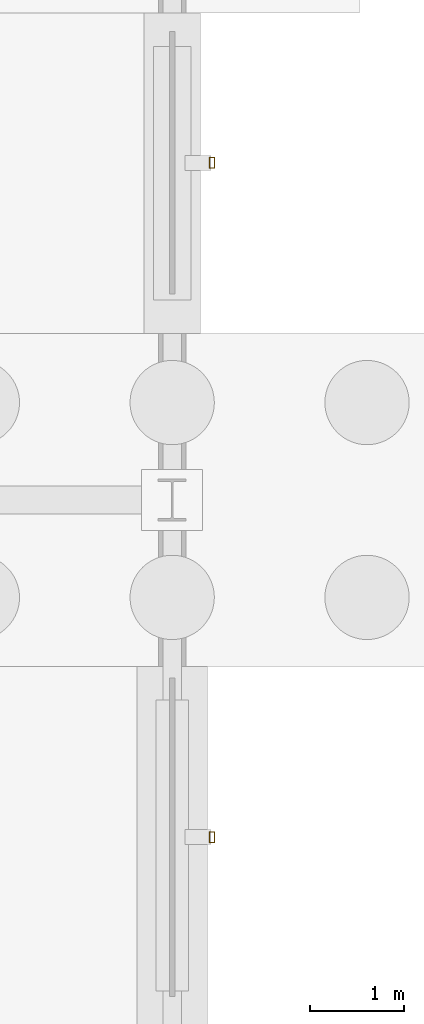
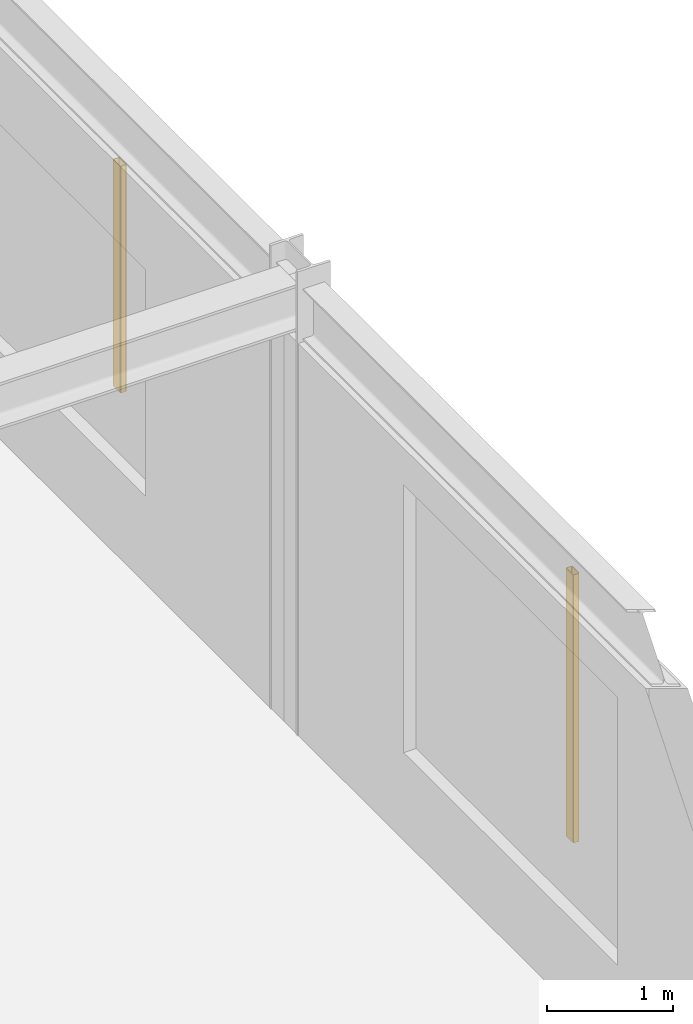
# One storey, part 85 of 93: 2 shading devices.
"""IFC4 building model written with IfcOpenShell, lengths in metres."""

from ifc_helpers import new_model, si_unit, derived_unit, direction, frame, origin, origin_2d, place, context, subcontext, project, spatial, hollow_rectangle, extrude, material, material_profile, profile_set, type_object, element, save


model = new_model("IFC4")

# Units and contexts
model_context = context("Model", 3, precision=1e-05, world=origin(), true_north=direction((0.0, 1.0)))
body_context = subcontext(model_context, "Body", "Model", "MODEL_VIEW")
ifc_project = project(units=[si_unit("LENGTHUNIT", "METRE"), si_unit("AREAUNIT", "SQUARE_METRE"), si_unit("VOLUMEUNIT", "CUBIC_METRE"), si_unit("PLANEANGLEUNIT", "RADIAN"), si_unit("MASSUNIT", "GRAM", prefix="KILO"), derived_unit("THERMALTRANSMITTANCEUNIT", [(si_unit("MASSUNIT", "GRAM", prefix="KILO"), 1), (si_unit("TIMEUNIT", "SECOND"), -3), (si_unit("THERMODYNAMICTEMPERATUREUNIT", "KELVIN"), -1)])], contexts=[model_context])

# Site, building, storey
site_placement = place(None, origin())
site = spatial("IfcSite", under=ifc_project, at=site_placement, CompositionType="ELEMENT")
building_placement = place(site_placement, origin())
building = spatial("IfcBuilding", under=site, at=building_placement, Name="Kharveza Railside Sports Centre", CompositionType="ELEMENT")
storey_placement = place(building_placement, origin())
storey = spatial("IfcBuildingStorey", under=building, at=storey_placement, Name="L00", CompositionType="ELEMENT", Elevation=0.0)

# Shading devices
ifc_material = material(Name="Anodised aluminium 6063-T6", Category="aluminium")
ifc_material_profile = material_profile(ifc_material, hollow_rectangle(XDim=0.06005859375, YDim=0.1201171875, WallThickness=0.0048828125, InnerFilletRadius=0.0048828125, OuterFilletRadius=0.010009765625, at=origin_2d()), Name="RHS 60x120x5.0")
ifc_profile_set = profile_set([ifc_material_profile], Name="Anodised aluminium 6063-T6")
shading_device_type = type_object("IfcShadingDeviceType", Name="SD-LV01", PredefinedType="JALOUSIE", material=ifc_profile_set)
shading_device_1_placement = place(storey_placement, frame((25.625, 97.199951171875, 0.85009765625), z_axis=(0.0, 0.0, 1.0), x_axis=(1.0, 0.0, 0.0)))
element("IfcShadingDevice", 1, at=shading_device_1_placement, inside=storey, type_object=shading_device_type, Name="SD-FIN-023", PredefinedType="JALOUSIE", context=body_context, shape_type="SweptSolid", body=[
    extrude(hollow_rectangle(XDim=0.06005859375, YDim=0.1201171875, WallThickness=0.0048828125, InnerFilletRadius=0.0048828125, OuterFilletRadius=0.010009765625, at=origin_2d()), origin(), (0.0, 0.0, 1.0), 2.599853515625),
])
shading_device_2_placement = place(storey_placement, frame((25.625, 104.39990234375, 0.85009765625), z_axis=(0.0, 0.0, 1.0), x_axis=(1.0, 0.0, 0.0)))
element("IfcShadingDevice", 2, at=shading_device_2_placement, inside=storey, type_object=shading_device_type, Name="SD-FIN-024", PredefinedType="JALOUSIE", context=body_context, shape_type="SweptSolid", body=[
    extrude(hollow_rectangle(XDim=0.06005859375, YDim=0.1201171875, WallThickness=0.0048828125, InnerFilletRadius=0.0048828125, OuterFilletRadius=0.010009765625, at=origin_2d()), origin(), (0.0, 0.0, 1.0), 2.199951171875),
])

save(model, "model.ifc")
